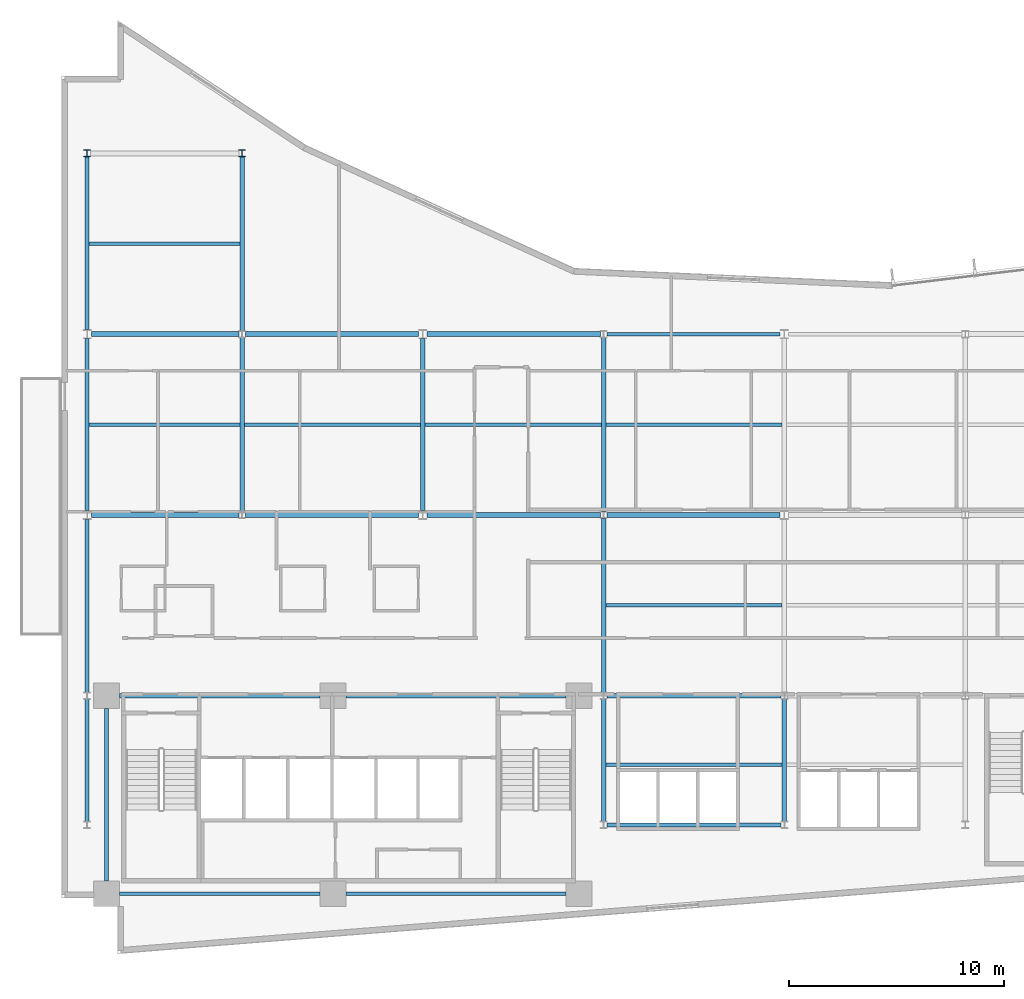
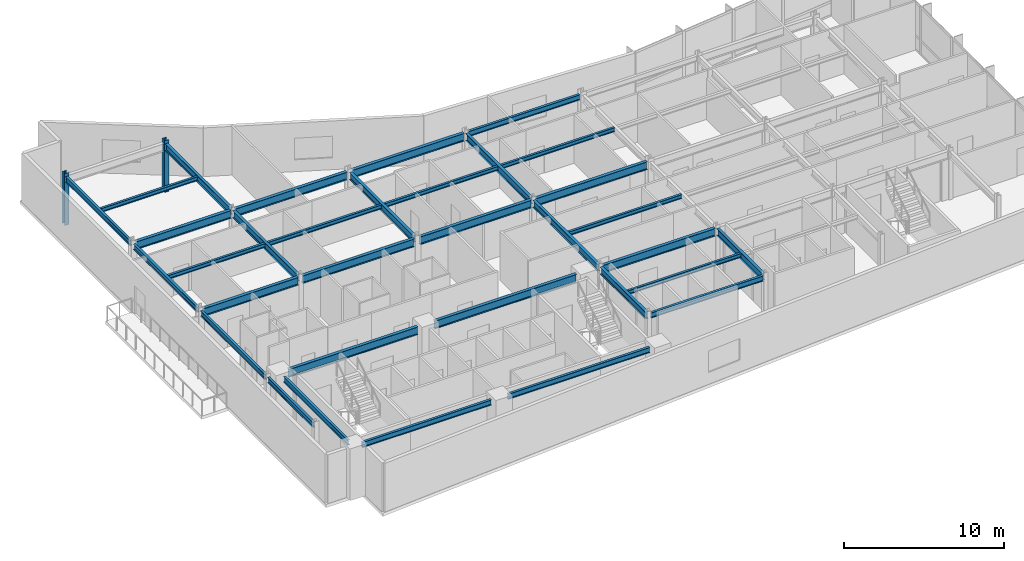
# One storey, part 3 of 18: 33 beams, 2 columns.
"""IFC4 building model written with IfcOpenShell, lengths in metres."""

from ifc_helpers import new_model, si_unit, direction, frame, origin, origin_2d, place, context, subcontext, project, spatial, i_section, extrude, material, material_profile, profile_set, type_object, element, save


model = new_model("IFC4")

# Units and contexts
model_context = context("Model", 3, precision=1e-05, world=origin(), true_north=direction((0.0, 1.0)))
body_context = subcontext(model_context, "Body", "Model", "MODEL_VIEW")
ifc_project = project(units=[si_unit("LENGTHUNIT", "METRE"), si_unit("AREAUNIT", "SQUARE_METRE"), si_unit("VOLUMEUNIT", "CUBIC_METRE"), si_unit("PLANEANGLEUNIT", "RADIAN"), si_unit("MASSUNIT", "GRAM", prefix="KILO")], contexts=[model_context])

# Site, building, storey
site_placement = place(None, origin())
site = spatial("IfcSite", under=ifc_project, at=site_placement, CompositionType="ELEMENT")
building_placement = place(site_placement, origin())
building = spatial("IfcBuilding", under=site, at=building_placement, Name="Varnakote Quay Hospital", CompositionType="ELEMENT")
storey_placement = place(building_placement, frame((0.0, 0.0, 107.300048828125)))
storey = spatial("IfcBuildingStorey", under=building, at=storey_placement, Name="L26", CompositionType="ELEMENT", Elevation=107.300048828125)

# Columns
ifc_material_1 = material(Name="Structural steel AS/NZS 3679.1 Grade 350 L0 (fy 340 MPa)", Category="steel")
ifc_material_profile_1 = material_profile(ifc_material_1, i_section(OverallWidth=0.30908203125, OverallDepth=0.321044921875, WebThickness=0.013916015625, FlangeThickness=0.021728515625, FilletRadius=0.0166015625, at=origin_2d()), Name="310UC137")
ifc_profile_set_1 = profile_set([ifc_material_profile_1], Name="Structural steel AS/NZS 3679.1 Grade 350 L0 (fy 340 MPa)")
column_type = type_object("IfcColumnType", Name="COL-STL-310UC137", PredefinedType="COLUMN", material=ifc_profile_set_1)
for number, where, z_axis, x_axis, name in (
    (1, (1.199951171875, 37.199951171875, 0.0), (0.0, 0.0, 1.0), (1.0, 0.0, 0.0), "L26 Structural Column C-1-37"),
    (2, (8.39990234375, 37.199951171875, 0.0), (0.0, 0.0, 1.0), (1.0, 0.0, 0.0), "L26 Structural Column C-8-37"),
):
    element("IfcColumn", number, at=place(storey_placement, frame(where, z_axis=z_axis, x_axis=x_axis)), inside=storey, type_object=column_type, Name=name, PredefinedType="COLUMN", context=body_context, shape_type="SweptSolid", body=[
        extrude(i_section(OverallWidth=0.30908203125, OverallDepth=0.321044921875, WebThickness=0.013916015625, FlangeThickness=0.021728515625, FilletRadius=0.0166015625, at=origin_2d()), origin(), (0.0, 0.0, 1.0), 3.949951171875),
    ])

# Beams
ifc_material_2 = material(Name="Structural steel AS/NZS 3679.1 Grade 350 L0 (fy 340 MPa)", Category="steel")
ifc_material_profile_2 = material_profile(ifc_material_2, i_section(OverallWidth=0.208984375, OverallDepth=0.532958984375, WebThickness=0.01025390625, FlangeThickness=0.015625, FilletRadius=0.013916015625, at=origin_2d()), Name="530UB92.4")
ifc_profile_set_2 = profile_set([ifc_material_profile_2], Name="Structural steel AS/NZS 3679.1 Grade 350 L0 (fy 340 MPa)")
beam_type_1 = type_object("IfcBeamType", Name="BM-STL-530UB92-4", PredefinedType="BEAM", material=ifc_profile_set_2)
beam_1_placement = place(storey_placement, frame((8.39990234375, 20.560546875, 3.443359375), z_axis=(0.0, 1.0, 0.0), x_axis=(-1.0, 0.0, 0.0)))
element("IfcBeam", 3, at=beam_1_placement, inside=storey, type_object=beam_type_1, Name="L26 Primary Tie Beam", PredefinedType="BEAM", context=body_context, shape_type="SweptSolid", body=[
    extrude(i_section(OverallWidth=0.208984375, OverallDepth=0.532958984375, WebThickness=0.01025390625, FlangeThickness=0.015625, FilletRadius=0.013916015625, at=origin_2d()), origin(), (0.0, 0.0, 1.0), 8.078857421875),
])
beam_2_placement = place(storey_placement, frame((8.39990234375, 28.96044921875, 3.443359375), z_axis=(0.0, 1.0, 0.0), x_axis=(-1.0, 0.0, 0.0)))
element("IfcBeam", 4, at=beam_2_placement, inside=storey, type_object=beam_type_1, Name="L26 Primary Tie Beam", PredefinedType="BEAM", context=body_context, shape_type="SweptSolid", body=[
    extrude(i_section(OverallWidth=0.208984375, OverallDepth=0.532958984375, WebThickness=0.01025390625, FlangeThickness=0.015625, FilletRadius=0.013916015625, at=origin_2d()), origin(), (0.0, 0.0, 1.0), 8.0791015625),
])
beam_3_placement = place(storey_placement, frame((16.800048828125, 20.610107421875, 3.443359375), z_axis=(0.0, 1.0, 0.0), x_axis=(-1.0, 0.0, 0.0)))
element("IfcBeam", 5, at=beam_3_placement, inside=storey, type_object=beam_type_1, Name="L26 Primary Tie Beam", PredefinedType="BEAM", context=body_context, shape_type="SweptSolid", body=[
    extrude(i_section(OverallWidth=0.208984375, OverallDepth=0.532958984375, WebThickness=0.01025390625, FlangeThickness=0.015625, FilletRadius=0.013916015625, at=origin_2d()), origin(), (0.0, 0.0, 1.0), 7.97998046875),
])
beam_4_placement = place(storey_placement, frame((25.199951171875, 6.160400390625, 3.443359375), z_axis=(0.0, 1.0, 0.0), x_axis=(-1.0, 0.0, 0.0)))
element("IfcBeam", 6, at=beam_4_placement, inside=storey, type_object=beam_type_1, Name="L26 Primary Tie Beam", PredefinedType="BEAM", context=body_context, shape_type="SweptSolid", body=[
    extrude(i_section(OverallWidth=0.208984375, OverallDepth=0.532958984375, WebThickness=0.01025390625, FlangeThickness=0.015625, FilletRadius=0.013916015625, at=origin_2d()), origin(), (0.0, 0.0, 1.0), 5.67919921875),
])
beam_5_placement = place(storey_placement, frame((25.199951171875, 12.160400390625, 3.443359375), z_axis=(0.0, 1.0, 0.0), x_axis=(-1.0, 0.0, 0.0)))
element("IfcBeam", 7, at=beam_5_placement, inside=storey, type_object=beam_type_1, Name="L26 Primary Tie Beam", PredefinedType="BEAM", context=body_context, shape_type="SweptSolid", body=[
    extrude(i_section(OverallWidth=0.208984375, OverallDepth=0.532958984375, WebThickness=0.01025390625, FlangeThickness=0.015625, FilletRadius=0.013916015625, at=origin_2d()), origin(), (0.0, 0.0, 1.0), 8.0791015625),
])
beam_6_placement = place(storey_placement, frame((25.199951171875, 20.560546875, 3.443359375), z_axis=(0.0, 1.0, 0.0), x_axis=(-1.0, 0.0, 0.0)))
element("IfcBeam", 8, at=beam_6_placement, inside=storey, type_object=beam_type_1, Name="L26 Primary Tie Beam", PredefinedType="BEAM", context=body_context, shape_type="SweptSolid", body=[
    extrude(i_section(OverallWidth=0.208984375, OverallDepth=0.532958984375, WebThickness=0.01025390625, FlangeThickness=0.015625, FilletRadius=0.013916015625, at=origin_2d()), origin(), (0.0, 0.0, 1.0), 8.078857421875),
])
beam_7_placement = place(storey_placement, frame((33.60009765625, 6.160400390625, 3.443359375), z_axis=(0.0, 1.0, 0.0), x_axis=(-1.0, 0.0, 0.0)))
element("IfcBeam", 9, at=beam_7_placement, inside=storey, type_object=beam_type_1, Name="L26 Primary Tie Beam", PredefinedType="BEAM", context=body_context, shape_type="SweptSolid", body=[
    extrude(i_section(OverallWidth=0.208984375, OverallDepth=0.532958984375, WebThickness=0.01025390625, FlangeThickness=0.015625, FilletRadius=0.013916015625, at=origin_2d()), origin(), (0.0, 0.0, 1.0), 5.67919921875),
])
ifc_material_3 = material(Name="Structural steel AS/NZS 3679.1 Grade 350 L0 (fy 340 MPa)", Category="steel")
ifc_material_profile_3 = material_profile(ifc_material_3, i_section(OverallWidth=0.22802734375, OverallDepth=0.60205078125, WebThickness=0.010498046875, FlangeThickness=0.014892578125, FilletRadius=0.013916015625, at=origin_2d()), Name="610UB101")
ifc_profile_set_3 = profile_set([ifc_material_profile_3], Name="Structural steel AS/NZS 3679.1 Grade 350 L0 (fy 340 MPa)")
beam_type_2 = type_object("IfcBeamType", Name="BM-STL-610UB101", PredefinedType="BEAM", material=ifc_profile_set_3)
beam_8_placement = place(storey_placement, frame((2.699951171875, 12.0, 3.408935546875), z_axis=(1.0, 0.0, 0.0), x_axis=(0.0, 1.0, 0.0)))
element("IfcBeam", 10, at=beam_8_placement, inside=storey, type_object=beam_type_2, Name="L26 Primary Floor Beam", PredefinedType="BEAM", context=body_context, shape_type="SweptSolid", body=[
    extrude(i_section(OverallWidth=0.22802734375, OverallDepth=0.60205078125, WebThickness=0.010498046875, FlangeThickness=0.014892578125, FilletRadius=0.013916015625, at=origin_2d()), origin(), (0.0, 0.0, 1.0), 9.320068359375),
])
beam_9_placement = place(storey_placement, frame((13.219970703125, 12.0, 3.408935546875), z_axis=(1.0, 0.0, 0.0), x_axis=(0.0, 1.0, 0.0)))
element("IfcBeam", 11, at=beam_9_placement, inside=storey, type_object=beam_type_2, Name="L26 Primary Floor Beam", PredefinedType="BEAM", context=body_context, shape_type="SweptSolid", body=[
    extrude(i_section(OverallWidth=0.22802734375, OverallDepth=0.60205078125, WebThickness=0.010498046875, FlangeThickness=0.014892578125, FilletRadius=0.013916015625, at=origin_2d()), origin(), (0.0, 0.0, 1.0), 10.22998046875),
])
beam_10_placement = place(storey_placement, frame((25.3544921875, 12.0, 3.408935546875), z_axis=(1.0, 0.0, 0.0), x_axis=(0.0, 1.0, 0.0)))
element("IfcBeam", 12, at=beam_10_placement, inside=storey, type_object=beam_type_2, Name="L26 Primary Floor Beam", PredefinedType="BEAM", context=body_context, shape_type="SweptSolid", body=[
    extrude(i_section(OverallWidth=0.22802734375, OverallDepth=0.60205078125, WebThickness=0.010498046875, FlangeThickness=0.014892578125, FilletRadius=0.013916015625, at=origin_2d()), origin(), (0.0, 0.0, 1.0), 8.091064453125),
])
beam_11_placement = place(storey_placement, frame((1.39990234375, 20.39990234375, 3.408935546875), z_axis=(1.0, 0.0, 0.0), x_axis=(0.0, 1.0, 0.0)))
element("IfcBeam", 13, at=beam_11_placement, inside=storey, type_object=beam_type_2, Name="L26 Primary Floor Beam", PredefinedType="BEAM", context=body_context, shape_type="SweptSolid", body=[
    extrude(i_section(OverallWidth=0.22802734375, OverallDepth=0.60205078125, WebThickness=0.010498046875, FlangeThickness=0.014892578125, FilletRadius=0.013916015625, at=origin_2d()), origin(), (0.0, 0.0, 1.0), 6.845703125),
])
beam_12_placement = place(storey_placement, frame((8.554443359375, 20.39990234375, 3.408935546875), z_axis=(1.0, 0.0, 0.0), x_axis=(0.0, 1.0, 0.0)))
element("IfcBeam", 14, at=beam_12_placement, inside=storey, type_object=beam_type_2, Name="L26 Primary Floor Beam", PredefinedType="BEAM", context=body_context, shape_type="SweptSolid", body=[
    extrude(i_section(OverallWidth=0.22802734375, OverallDepth=0.60205078125, WebThickness=0.010498046875, FlangeThickness=0.014892578125, FilletRadius=0.013916015625, at=origin_2d()), origin(), (0.0, 0.0, 1.0), 8.045654296875),
])
for number, where, z_axis, x_axis, name in (
    (15, (17.0, 20.39990234375, 3.408935546875), (1.0, 0.0, 0.0), (0.0, 1.0, 0.0), "L26 Primary Floor Beam"),
    (16, (25.3544921875, 20.39990234375, 3.408935546875), (1.0, 0.0, 0.0), (0.0, 1.0, 0.0), "L26 Primary Floor Beam"),
):
    element("IfcBeam", number, at=place(storey_placement, frame(where, z_axis=z_axis, x_axis=x_axis)), inside=storey, type_object=beam_type_2, Name=name, PredefinedType="BEAM", context=body_context, shape_type="SweptSolid", body=[
        extrude(i_section(OverallWidth=0.22802734375, OverallDepth=0.60205078125, WebThickness=0.010498046875, FlangeThickness=0.014892578125, FilletRadius=0.013916015625, at=origin_2d()), origin(), (0.0, 0.0, 1.0), 8.04541015625),
    ])
beam_13_placement = place(storey_placement, frame((1.39990234375, 28.800048828125, 3.408935546875), z_axis=(1.0, 0.0, 0.0), x_axis=(0.0, 1.0, 0.0)))
element("IfcBeam", 17, at=beam_13_placement, inside=storey, type_object=beam_type_2, Name="L26 Primary Floor Beam", PredefinedType="BEAM", context=body_context, shape_type="SweptSolid", body=[
    extrude(i_section(OverallWidth=0.22802734375, OverallDepth=0.60205078125, WebThickness=0.010498046875, FlangeThickness=0.014892578125, FilletRadius=0.013916015625, at=origin_2d()), origin(), (0.0, 0.0, 1.0), 6.845703125),
])
beam_14_placement = place(storey_placement, frame((8.554443359375, 28.800048828125, 3.408935546875), z_axis=(1.0, 0.0, 0.0), x_axis=(0.0, 1.0, 0.0)))
element("IfcBeam", 18, at=beam_14_placement, inside=storey, type_object=beam_type_2, Name="L26 Primary Floor Beam", PredefinedType="BEAM", context=body_context, shape_type="SweptSolid", body=[
    extrude(i_section(OverallWidth=0.22802734375, OverallDepth=0.60205078125, WebThickness=0.010498046875, FlangeThickness=0.014892578125, FilletRadius=0.013916015625, at=origin_2d()), origin(), (0.0, 0.0, 1.0), 8.045654296875),
])
beam_15_placement = place(storey_placement, frame((17.0, 28.800048828125, 3.408935546875), z_axis=(1.0, 0.0, 0.0), x_axis=(0.0, 1.0, 0.0)))
element("IfcBeam", 19, at=beam_15_placement, inside=storey, type_object=beam_type_2, Name="L26 Primary Floor Beam", PredefinedType="BEAM", context=body_context, shape_type="SweptSolid", body=[
    extrude(i_section(OverallWidth=0.22802734375, OverallDepth=0.60205078125, WebThickness=0.010498046875, FlangeThickness=0.014892578125, FilletRadius=0.013916015625, at=origin_2d()), origin(), (0.0, 0.0, 1.0), 8.04541015625),
])
ifc_material_4 = material(Name="Structural steel AS/NZS 3679.1 Grade 350 L0 (fy 340 MPa)", Category="steel")
ifc_material_profile_4 = material_profile(ifc_material_4, i_section(OverallWidth=0.166015625, OverallDepth=0.306884765625, WebThickness=0.006591796875, FlangeThickness=0.01171875, FilletRadius=0.011474609375, at=origin_2d()), Name="310UB46.2")
ifc_profile_set_4 = profile_set([ifc_material_profile_4], Name="Structural steel AS/NZS 3679.1 Grade 350 L0 (fy 340 MPa)")
beam_type_3 = type_object("IfcBeamType", Name="JST-STL-310UB46-2", PredefinedType="JOIST", material=ifc_profile_set_4)
for number, where, z_axis, x_axis, name in (
    (20, (25.304443359375, 8.800048828125, 3.556396484375), (1.0, 0.0, 0.0), (0.0, 1.0, 0.0), "L26 Composite Floor Joist"),
    (21, (25.304443359375, 16.199951171875, 3.556396484375), (1.0, 0.0, 0.0), (0.0, 1.0, 0.0), "L26 Composite Floor Joist"),
):
    element("IfcBeam", number, at=place(storey_placement, frame(where, z_axis=z_axis, x_axis=x_axis)), inside=storey, type_object=beam_type_3, Name=name, PredefinedType="JOIST", context=body_context, shape_type="SweptSolid", body=[
        extrude(i_section(OverallWidth=0.166015625, OverallDepth=0.306884765625, WebThickness=0.006591796875, FlangeThickness=0.01171875, FilletRadius=0.011474609375, at=origin_2d()), origin(), (0.0, 0.0, 1.0), 8.191162109375),
    ])
beam_16_placement = place(storey_placement, frame((1.2890625, 24.60009765625, 3.556396484375), z_axis=(1.0, 0.0, 0.0), x_axis=(0.0, 1.0, 0.0)))
element("IfcBeam", 22, at=beam_16_placement, inside=storey, type_object=beam_type_3, Name="L26 Composite Floor Joist", PredefinedType="JOIST", context=body_context, shape_type="SweptSolid", body=[
    extrude(i_section(OverallWidth=0.166015625, OverallDepth=0.306884765625, WebThickness=0.006591796875, FlangeThickness=0.01171875, FilletRadius=0.011474609375, at=origin_2d()), origin(), (0.0, 0.0, 1.0), 7.00634765625),
])
beam_17_placement = place(storey_placement, frame((8.50439453125, 24.60009765625, 3.556396484375), z_axis=(1.0, 0.0, 0.0), x_axis=(0.0, 1.0, 0.0)))
element("IfcBeam", 23, at=beam_17_placement, inside=storey, type_object=beam_type_3, Name="L26 Composite Floor Joist", PredefinedType="JOIST", context=body_context, shape_type="SweptSolid", body=[
    extrude(i_section(OverallWidth=0.166015625, OverallDepth=0.306884765625, WebThickness=0.006591796875, FlangeThickness=0.01171875, FilletRadius=0.011474609375, at=origin_2d()), origin(), (0.0, 0.0, 1.0), 8.191162109375),
])
beam_18_placement = place(storey_placement, frame((16.904541015625, 24.60009765625, 3.556396484375), z_axis=(1.0, 0.0, 0.0), x_axis=(0.0, 1.0, 0.0)))
element("IfcBeam", 24, at=beam_18_placement, inside=storey, type_object=beam_type_3, Name="L26 Composite Floor Joist", PredefinedType="JOIST", context=body_context, shape_type="SweptSolid", body=[
    extrude(i_section(OverallWidth=0.166015625, OverallDepth=0.306884765625, WebThickness=0.006591796875, FlangeThickness=0.01171875, FilletRadius=0.011474609375, at=origin_2d()), origin(), (0.0, 0.0, 1.0), 8.19091796875),
])
beam_19_placement = place(storey_placement, frame((25.304443359375, 24.60009765625, 3.556396484375), z_axis=(1.0, 0.0, 0.0), x_axis=(0.0, 1.0, 0.0)))
element("IfcBeam", 25, at=beam_19_placement, inside=storey, type_object=beam_type_3, Name="L26 Composite Floor Joist", PredefinedType="JOIST", context=body_context, shape_type="SweptSolid", body=[
    extrude(i_section(OverallWidth=0.166015625, OverallDepth=0.306884765625, WebThickness=0.006591796875, FlangeThickness=0.01171875, FilletRadius=0.011474609375, at=origin_2d()), origin(), (0.0, 0.0, 1.0), 8.191162109375),
])
beam_20_placement = place(storey_placement, frame((1.2890625, 33.0, 3.556396484375), z_axis=(1.0, 0.0, 0.0), x_axis=(0.0, 1.0, 0.0)))
element("IfcBeam", 26, at=beam_20_placement, inside=storey, type_object=beam_type_3, Name="L26 Composite Floor Joist", PredefinedType="JOIST", context=body_context, shape_type="SweptSolid", body=[
    extrude(i_section(OverallWidth=0.166015625, OverallDepth=0.306884765625, WebThickness=0.006591796875, FlangeThickness=0.01171875, FilletRadius=0.011474609375, at=origin_2d()), origin(), (0.0, 0.0, 1.0), 7.00634765625),
])
ifc_material_5 = material(Name="Structural steel AS/NZS 3679.1 Grade 350 L0 (fy 340 MPa)", Category="steel")
ifc_material_profile_5 = material_profile(ifc_material_5, i_section(OverallWidth=0.177978515625, OverallDepth=0.403076171875, WebThickness=0.007568359375, FlangeThickness=0.010986328125, FilletRadius=0.011474609375, at=origin_2d()), Name="410UB53.7")
ifc_profile_set_5 = profile_set([ifc_material_profile_5], Name="Structural steel AS/NZS 3679.1 Grade 350 L0 (fy 340 MPa)")
beam_type_4 = type_object("IfcBeamType", Name="SPN-STL-410UB53-7", PredefinedType="SPANDREL", material=ifc_profile_set_5)
beam_21_placement = place(storey_placement, frame((1.199951171875, 6.160400390625, 3.508544921875), z_axis=(0.0, 1.0, 0.0), x_axis=(-1.0, 0.0, 0.0)))
element("IfcBeam", 27, at=beam_21_placement, inside=storey, type_object=beam_type_4, Name="L26 Perimeter Spandrel Beam", PredefinedType="SPANDREL", context=body_context, shape_type="SweptSolid", body=[
    extrude(i_section(OverallWidth=0.177978515625, OverallDepth=0.403076171875, WebThickness=0.007568359375, FlangeThickness=0.010986328125, FilletRadius=0.011474609375, at=origin_2d()), origin(), (0.0, 0.0, 1.0), 5.67919921875),
])
beam_22_placement = place(storey_placement, frame((1.199951171875, 12.160400390625, 3.508544921875), z_axis=(0.0, 1.0, 0.0), x_axis=(-1.0, 0.0, 0.0)))
element("IfcBeam", 28, at=beam_22_placement, inside=storey, type_object=beam_type_4, Name="L26 Perimeter Spandrel Beam", PredefinedType="SPANDREL", context=body_context, shape_type="SweptSolid", body=[
    extrude(i_section(OverallWidth=0.177978515625, OverallDepth=0.403076171875, WebThickness=0.007568359375, FlangeThickness=0.010986328125, FilletRadius=0.011474609375, at=origin_2d()), origin(), (0.0, 0.0, 1.0), 8.029541015625),
])
beam_23_placement = place(storey_placement, frame((1.199951171875, 20.610107421875, 3.508544921875), z_axis=(0.0, 1.0, 0.0), x_axis=(-1.0, 0.0, 0.0)))
element("IfcBeam", 29, at=beam_23_placement, inside=storey, type_object=beam_type_4, Name="L26 Perimeter Spandrel Beam", PredefinedType="SPANDREL", context=body_context, shape_type="SweptSolid", body=[
    extrude(i_section(OverallWidth=0.177978515625, OverallDepth=0.403076171875, WebThickness=0.007568359375, FlangeThickness=0.010986328125, FilletRadius=0.011474609375, at=origin_2d()), origin(), (0.0, 0.0, 1.0), 7.97998046875),
])
beam_24_placement = place(storey_placement, frame((1.199951171875, 29.010009765625, 3.508544921875), z_axis=(0.0, 1.0, 0.0), x_axis=(-1.0, 0.0, 0.0)))
element("IfcBeam", 30, at=beam_24_placement, inside=storey, type_object=beam_type_4, Name="L26 Perimeter Spandrel Beam", PredefinedType="SPANDREL", context=body_context, shape_type="SweptSolid", body=[
    extrude(i_section(OverallWidth=0.177978515625, OverallDepth=0.403076171875, WebThickness=0.007568359375, FlangeThickness=0.010986328125, FilletRadius=0.011474609375, at=origin_2d()), origin(), (0.0, 0.0, 1.0), 8.029541015625),
])
beam_25_placement = place(storey_placement, frame((2.10009765625, 3.39990234375, 3.508544921875), z_axis=(0.0, 1.0, 0.0), x_axis=(-1.0, 0.0, 0.0)))
element("IfcBeam", 31, at=beam_25_placement, inside=storey, type_object=beam_type_4, Name="L26 Perimeter Spandrel Beam", PredefinedType="SPANDREL", context=body_context, shape_type="SweptSolid", body=[
    extrude(i_section(OverallWidth=0.177978515625, OverallDepth=0.403076171875, WebThickness=0.007568359375, FlangeThickness=0.010986328125, FilletRadius=0.011474609375, at=origin_2d()), origin(), (0.0, 0.0, 1.0), 8.0),
])
ifc_material_6 = material(Name="Structural steel AS/NZS 3679.1 Grade 350 L0 (fy 340 MPa)", Category="steel")
ifc_material_profile_6 = material_profile(ifc_material_6, i_section(OverallWidth=0.177978515625, OverallDepth=0.406005859375, WebThickness=0.0078125, FlangeThickness=0.0126953125, FilletRadius=0.011474609375, at=origin_2d()), Name="410UB59.7")
ifc_profile_set_6 = profile_set([ifc_material_profile_6], Name="Structural steel AS/NZS 3679.1 Grade 350 L0 (fy 340 MPa)")
beam_type_5 = type_object("IfcBeamType", Name="SPN-STL-410UB59-7", PredefinedType="SPANDREL", material=ifc_profile_set_6)
beam_26_placement = place(storey_placement, frame((2.699951171875, 2.800048828125, 3.5068359375), z_axis=(1.0, 0.0, 0.0), x_axis=(0.0, 1.0, 0.0)))
element("IfcBeam", 32, at=beam_26_placement, inside=storey, type_object=beam_type_5, Name="L26 Perimeter Spandrel Beam", PredefinedType="SPANDREL", context=body_context, shape_type="SweptSolid", body=[
    extrude(i_section(OverallWidth=0.177978515625, OverallDepth=0.406005859375, WebThickness=0.0078125, FlangeThickness=0.0126953125, FilletRadius=0.011474609375, at=origin_2d()), origin(), (0.0, 0.0, 1.0), 9.320068359375),
])
beam_27_placement = place(storey_placement, frame((13.219970703125, 2.800048828125, 3.5068359375), z_axis=(1.0, 0.0, 0.0), x_axis=(0.0, 1.0, 0.0)))
element("IfcBeam", 33, at=beam_27_placement, inside=storey, type_object=beam_type_5, Name="L26 Perimeter Spandrel Beam", PredefinedType="SPANDREL", context=body_context, shape_type="SweptSolid", body=[
    extrude(i_section(OverallWidth=0.177978515625, OverallDepth=0.406005859375, WebThickness=0.0078125, FlangeThickness=0.0126953125, FilletRadius=0.011474609375, at=origin_2d()), origin(), (0.0, 0.0, 1.0), 10.22998046875),
])
beam_28_placement = place(storey_placement, frame((25.3544921875, 6.0, 3.5068359375), z_axis=(1.0, 0.0, 0.0), x_axis=(0.0, 1.0, 0.0)))
element("IfcBeam", 34, at=beam_28_placement, inside=storey, type_object=beam_type_5, Name="L26 Perimeter Spandrel Beam", PredefinedType="SPANDREL", context=body_context, shape_type="SweptSolid", body=[
    extrude(i_section(OverallWidth=0.177978515625, OverallDepth=0.406005859375, WebThickness=0.0078125, FlangeThickness=0.0126953125, FilletRadius=0.011474609375, at=origin_2d()), origin(), (0.0, 0.0, 1.0), 8.091064453125),
])
beam_29_placement = place(storey_placement, frame((25.3544921875, 28.800048828125, 3.5068359375), z_axis=(1.0, 0.0, 0.0), x_axis=(0.0, 1.0, 0.0)))
element("IfcBeam", 35, at=beam_29_placement, inside=storey, type_object=beam_type_5, Name="L26 Perimeter Spandrel Beam", PredefinedType="SPANDREL", context=body_context, shape_type="SweptSolid", body=[
    extrude(i_section(OverallWidth=0.177978515625, OverallDepth=0.406005859375, WebThickness=0.0078125, FlangeThickness=0.0126953125, FilletRadius=0.011474609375, at=origin_2d()), origin(), (0.0, 0.0, 1.0), 8.04541015625),
])

save(model, "model.ifc")
